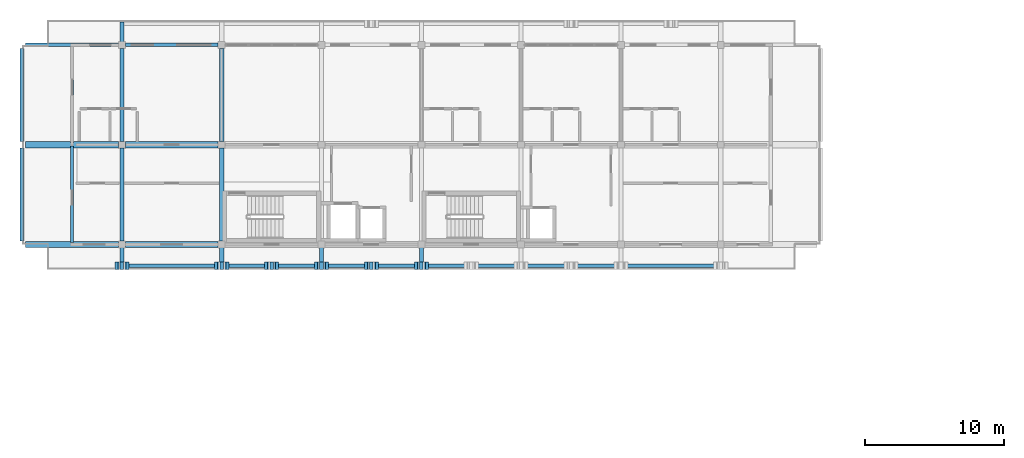
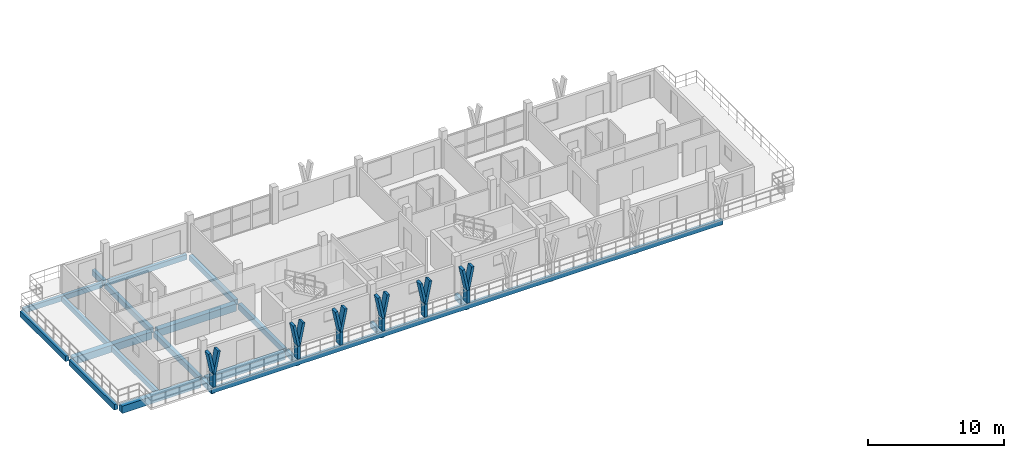
# One storey, part 4 of 19: 20 beams, 18 members.
"""IFC4 building model written with IfcOpenShell, lengths in metres."""

from ifc_helpers import new_model, si_unit, direction, frame, origin, origin_2d, place, context, subcontext, project, spatial, rectangle, extrude, material, material_profile, profile_set, type_object, element, save


model = new_model("IFC4")

# Units and contexts
model_context = context("Model", 3, precision=1e-05, world=origin(), true_north=direction((0.0, 1.0)))
body_context = subcontext(model_context, "Body", "Model", "MODEL_VIEW")
ifc_project = project(units=[si_unit("LENGTHUNIT", "METRE"), si_unit("AREAUNIT", "SQUARE_METRE"), si_unit("VOLUMEUNIT", "CUBIC_METRE"), si_unit("PLANEANGLEUNIT", "RADIAN"), si_unit("MASSUNIT", "GRAM", prefix="KILO")], contexts=[model_context])

# Site, building, storey
site_placement = place(None, origin())
site = spatial("IfcSite", under=ifc_project, at=site_placement, CompositionType="ELEMENT")
building_placement = place(site_placement, origin())
building = spatial("IfcBuilding", under=site, at=building_placement, Name="Suanplinth Sawtooth Commons", CompositionType="ELEMENT")
storey_placement = place(building_placement, frame((0.0, 0.0, 44.39990234375)))
storey = spatial("IfcBuildingStorey", under=building, at=storey_placement, Name="L13", CompositionType="ELEMENT", Elevation=44.39990234375)

# Beams
ifc_material_1 = material(Name="Precast concrete C40/50", Category="concrete")
ifc_material_profile_1 = material_profile(ifc_material_1, rectangle(XDim=0.449951171875, YDim=0.64990234375, at=origin_2d()), Name="PC-GDR 450x650")
ifc_profile_set_1 = profile_set([ifc_material_profile_1], Name="Precast concrete C40/50")
beam_type_1 = type_object("IfcBeamType", Name="B-04", PredefinedType="USERDEFINED", material=ifc_profile_set_1)
for number, where, z_axis, x_axis, name in (
    (1, (29.050048828125, 108.0, -0.574951171875), (1.0, 0.0, 0.0), (0.0, 1.0, 0.0), "BMX-L13-A-4-15"),
    (2, (29.050048828125, 115.199951171875, -0.574951171875), (1.0, 0.0, 0.0), (0.0, 1.0, 0.0), "BMX-L13-A-4-16"),
    (3, (36.25, 108.0, -0.574951171875), (1.0, 0.0, 0.0), (0.0, 1.0, 0.0), "BMX-L13-A-5-15"),
    (4, (36.25, 115.199951171875, -0.574951171875), (1.0, 0.0, 0.0), (0.0, 1.0, 0.0), "BMX-L13-A-5-16"),
):
    element("IfcBeam", number, at=place(storey_placement, frame(where, z_axis=z_axis, x_axis=x_axis)), inside=storey, type_object=beam_type_1, Name=name, ObjectType="GIRDER", PredefinedType="USERDEFINED", context=body_context, shape_type="SweptSolid", body=[
        extrude(rectangle(XDim=0.449951171875, YDim=0.64990234375, at=origin_2d()), origin(), (0.0, 0.0, 1.0), 6.699951171875),
    ])
ifc_material_profile_2 = material_profile(ifc_material_1, rectangle(XDim=0.300048828125, YDim=0.5, at=origin_2d()), Name="PC-BM 300x500")
ifc_profile_set_2 = profile_set([ifc_material_profile_2], Name="Precast concrete C40/50")
beam_type_2 = type_object("IfcBeamType", Name="B-07", PredefinedType="BEAM", material=ifc_profile_set_2)
for number, where, z_axis, x_axis, name in (
    (5, (28.800048828125, 108.25, -0.5), (0.0, 1.0, 0.0), (-1.0, 0.0, 0.0), "BMY-L13-A-4-15"),
    (6, (28.800048828125, 115.449951171875, -0.5), (0.0, 1.0, 0.0), (-1.0, 0.0, 0.0), "BMY-L13-A-4-16"),
    (7, (36.0, 108.25, -0.5), (0.0, 1.0, 0.0), (-1.0, 0.0, 0.0), "BMY-L13-A-5-15"),
    (8, (36.0, 115.449951171875, -0.5), (0.0, 1.0, 0.0), (-1.0, 0.0, 0.0), "BMY-L13-A-5-16"),
    (9, (43.199951171875, 108.25, -0.5), (0.0, 1.0, 0.0), (-1.0, 0.0, 0.0), "BMY-L13-A-6-15"),
    (10, (43.199951171875, 115.449951171875, -0.5), (0.0, 1.0, 0.0), (-1.0, 0.0, 0.0), "BMY-L13-A-6-16"),
):
    element("IfcBeam", number, at=place(storey_placement, frame(where, z_axis=z_axis, x_axis=x_axis)), inside=storey, type_object=beam_type_2, Name=name, PredefinedType="BEAM", context=body_context, shape_type="SweptSolid", body=[
        extrude(rectangle(XDim=0.300048828125, YDim=0.5, at=origin_2d()), origin(), (0.0, 0.0, 1.0), 6.699951171875),
    ])
beam_1_placement = place(storey_placement, frame((36.0, 122.39990234375, -0.429931640625), z_axis=(0.0, 1.0, 0.0), x_axis=(-1.0, 0.0, 0.0)))
element("IfcBeam", 11, at=beam_1_placement, inside=storey, type_object=beam_type_2, Name="Balcony Outrigger L13-A-N-5", PredefinedType="BEAM", context=body_context, shape_type="SweptSolid", body=[
    extrude(rectangle(XDim=0.300048828125, YDim=0.5, at=origin_2d()), origin(), (0.0, 0.0, 1.0), 1.64013671875),
])
for number, where, z_axis, x_axis, name in (
    (12, (36.0, 108.0, -0.429931640625), (0.0, -1.0, 0.0), (1.0, 0.0, 0.0), "Balcony Outrigger L13-A-S-5"),
    (13, (43.199951171875, 108.0, -0.429931640625), (0.0, -1.0, 0.0), (1.0, 0.0, 0.0), "Balcony Outrigger L13-A-S-6"),
    (14, (50.39990234375, 108.0, -0.429931640625), (0.0, -1.0, 0.0), (1.0, 0.0, 0.0), "Balcony Outrigger L13-A-S-7"),
    (15, (57.60009765625, 108.0, -0.429931640625), (0.0, -1.0, 0.0), (1.0, 0.0, 0.0), "Balcony Outrigger L13-A-S-8"),
):
    element("IfcBeam", number, at=place(storey_placement, frame(where, z_axis=z_axis, x_axis=x_axis)), inside=storey, type_object=beam_type_2, Name=name, PredefinedType="BEAM", context=body_context, shape_type="SweptSolid", body=[
        extrude(rectangle(XDim=0.300048828125, YDim=0.5, at=origin_2d()), origin(), (0.0, 0.0, 1.0), 1.639892578125),
    ])
ifc_material_profile_3 = material_profile(ifc_material_1, rectangle(XDim=0.25, YDim=0.449951171875, at=origin_2d()), Name="PC-SP 250x450")
ifc_profile_set_3 = profile_set([ifc_material_profile_3], Name="Precast concrete C40/50")
beam_type_3 = type_object("IfcBeamType", Name="B-09", PredefinedType="SPANDREL", material=ifc_profile_set_3)
for number, where, z_axis, x_axis, name in (
    (16, (29.050048828125, 122.39990234375, -0.474853515625), (1.0, 0.0, 0.0), (0.0, 1.0, 0.0), "BMX-L13-A-4-17"),
    (17, (36.25, 122.39990234375, -0.474853515625), (1.0, 0.0, 0.0), (0.0, 1.0, 0.0), "BMX-L13-A-5-17"),
):
    element("IfcBeam", number, at=place(storey_placement, frame(where, z_axis=z_axis, x_axis=x_axis)), inside=storey, type_object=beam_type_3, Name=name, PredefinedType="SPANDREL", context=body_context, shape_type="SweptSolid", body=[
        extrude(rectangle(XDim=0.25, YDim=0.449951171875, at=origin_2d()), origin(), (0.0, 0.0, 1.0), 6.699951171875),
    ])
beam_2_placement = place(storey_placement, frame((32.39990234375, 108.139892578125, -0.574951171875), z_axis=(0.0, 1.0, 0.0), x_axis=(-1.0, 0.0, 0.0)))
element("IfcBeam", 18, at=beam_2_placement, inside=storey, type_object=beam_type_3, Name="BMY-L13-A-STEP-324-15", PredefinedType="SPANDREL", context=body_context, shape_type="SweptSolid", body=[
    extrude(rectangle(XDim=0.25, YDim=0.449951171875, at=origin_2d()), origin(), (0.0, 0.0, 1.0), 6.980224609375),
])
beam_3_placement = place(storey_placement, frame((32.39990234375, 115.340087890625, -0.574951171875), z_axis=(0.0, 1.0, 0.0), x_axis=(-1.0, 0.0, 0.0)))
element("IfcBeam", 19, at=beam_3_placement, inside=storey, type_object=beam_type_3, Name="BMY-L13-A-STEP-324-16", PredefinedType="SPANDREL", context=body_context, shape_type="SweptSolid", body=[
    extrude(rectangle(XDim=0.25, YDim=0.449951171875, at=origin_2d()), origin(), (0.0, 0.0, 1.0), 6.97998046875),
])
beam_4_placement = place(storey_placement, frame((35.85009765625, 106.47998046875, -0.40478515625), z_axis=(1.0, 0.0, 0.0), x_axis=(0.0, 1.0, 0.0)))
element("IfcBeam", 20, at=beam_4_placement, inside=storey, type_object=beam_type_3, Name="Balcony Edge Fascia L13-A-S", PredefinedType="SPANDREL", context=body_context, shape_type="SweptSolid", body=[
    extrude(rectangle(XDim=0.25, YDim=0.449951171875, at=origin_2d()), origin(), (0.0, 0.0, 1.0), 43.5),
])

# Members
ifc_material_2 = material(Name="Pigmented precast concrete C40/50", Category="concrete")
ifc_material_profile_4 = material_profile(ifc_material_2, rectangle(XDim=0.260009765625, YDim=0.550048828125, at=origin_2d()), Name="PC-FIN 260x550")
ifc_profile_set_4 = profile_set([ifc_material_profile_4], Name="Pigmented precast concrete C40/50")
member_type_1 = type_object("IfcMemberType", Name="M-09", PredefinedType="USERDEFINED", material=ifc_profile_set_4)
for number, where, z_axis, x_axis, name in (
    (21, (36.0, 106.47998046875, 0.0), (0.0, 0.0, 1.0), (1.0, 0.0, 0.0), "Y-Blade Stem L13-A-S-04"),
    (22, (43.199951171875, 106.47998046875, 0.0), (0.0, 0.0, 1.0), (1.0, 0.0, 0.0), "Y-Blade Stem L13-A-S-05"),
    (23, (46.800048828125, 106.47998046875, 0.0), (0.0, 0.0, 1.0), (1.0, 0.0, 0.0), "Y-Blade Stem L13-A-S-06"),
    (24, (50.39990234375, 106.47998046875, 0.0), (0.0, 0.0, 1.0), (1.0, 0.0, 0.0), "Y-Blade Stem L13-A-S-07"),
    (25, (54.0, 106.47998046875, 0.0), (0.0, 0.0, 1.0), (1.0, 0.0, 0.0), "Y-Blade Stem L13-A-S-08"),
    (26, (57.60009765625, 106.47998046875, 0.0), (0.0, 0.0, 1.0), (1.0, 0.0, 0.0), "Y-Blade Stem L13-A-S-09"),
):
    element("IfcMember", number, at=place(storey_placement, frame(where, z_axis=z_axis, x_axis=x_axis)), inside=storey, type_object=member_type_1, Name=name, ObjectType="SHADING FIN", PredefinedType="USERDEFINED", context=body_context, shape_type="SweptSolid", body=[
        extrude(rectangle(XDim=0.260009765625, YDim=0.550048828125, at=origin_2d()), origin(), (0.0, 0.0, 1.0), 1.170166015625),
    ])
ifc_material_profile_5 = material_profile(ifc_material_2, rectangle(XDim=0.219970703125, YDim=0.550048828125, at=origin_2d()), Name="PC-FIN 220x550")
ifc_profile_set_5 = profile_set([ifc_material_profile_5], Name="Pigmented precast concrete C40/50")
member_type_2 = type_object("IfcMemberType", Name="M-10", PredefinedType="USERDEFINED", material=ifc_profile_set_5)
for number, where, z_axis, x_axis, name in (
    (27, (36.0, 106.47998046875, 1.130126953125), (-0.196530428008, 0.0, 0.98049772609), (0.98049772609, 0.0, 0.196530428008), "Y-Blade Arm L L13-A-S-04"),
    (28, (36.0, 106.47998046875, 1.130126953125), (0.196530428008, 0.0, 0.98049772609), (-0.98049772609, 0.0, 0.196530428008), "Y-Blade Arm R L13-A-S-04"),
    (29, (43.199951171875, 106.47998046875, 1.130126953125), (-0.196415357203, 0.0, 0.980520783795), (0.980520783795, 0.0, 0.196415357203), "Y-Blade Arm L L13-A-S-05"),
    (30, (43.199951171875, 106.47998046875, 1.130126953125), (0.196530428008, 0.0, 0.98049772609), (-0.98049772609, 0.0, 0.196530428008), "Y-Blade Arm R L13-A-S-05"),
    (31, (46.800048828125, 106.47998046875, 1.130126953125), (-0.196530428008, 0.0, 0.98049772609), (0.98049772609, 0.0, 0.196530428008), "Y-Blade Arm L L13-A-S-06"),
    (32, (46.800048828125, 106.47998046875, 1.130126953125), (0.196415357203, 0.0, 0.980520783795), (-0.980520783795, 0.0, 0.196415357203), "Y-Blade Arm R L13-A-S-06"),
    (33, (50.39990234375, 106.47998046875, 1.130126953125), (-0.196415357203, 0.0, 0.980520783795), (0.980520783795, 0.0, 0.196415357203), "Y-Blade Arm L L13-A-S-07"),
    (34, (50.39990234375, 106.47998046875, 1.130126953125), (0.196530428008, 0.0, 0.98049772609), (-0.98049772609, 0.0, 0.196530428008), "Y-Blade Arm R L13-A-S-07"),
    (35, (54.0, 106.47998046875, 1.130126953125), (-0.196530428008, 0.0, 0.98049772609), (0.98049772609, 0.0, 0.196530428008), "Y-Blade Arm L L13-A-S-08"),
    (36, (54.0, 106.47998046875, 1.130126953125), (0.196530428008, 0.0, 0.98049772609), (-0.98049772609, 0.0, 0.196530428008), "Y-Blade Arm R L13-A-S-08"),
    (37, (57.60009765625, 106.47998046875, 1.130126953125), (-0.196530428008, 0.0, 0.98049772609), (0.98049772609, 0.0, 0.196530428008), "Y-Blade Arm L L13-A-S-09"),
    (38, (57.60009765625, 106.47998046875, 1.130126953125), (0.196415357203, 0.0, 0.980520783795), (-0.980520783795, 0.0, 0.196415357203), "Y-Blade Arm R L13-A-S-09"),
):
    element("IfcMember", number, at=place(storey_placement, frame(where, z_axis=z_axis, x_axis=x_axis)), inside=storey, type_object=member_type_2, Name=name, ObjectType="SHADING FIN", PredefinedType="USERDEFINED", context=body_context, shape_type="SweptSolid", body=[
        extrude(rectangle(XDim=0.219970703125, YDim=0.550048828125, at=origin_2d()), origin(), (0.0, 0.0, 1.0), 2.039794921875),
    ])

save(model, "model.ifc")
